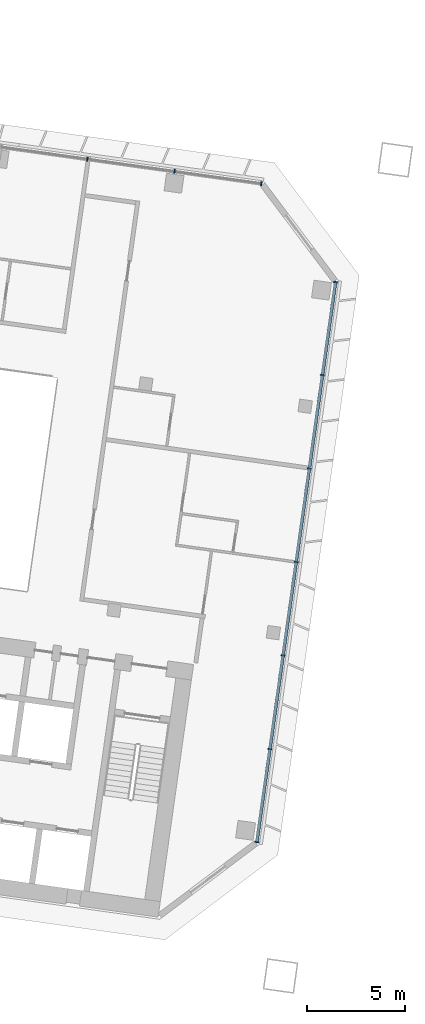
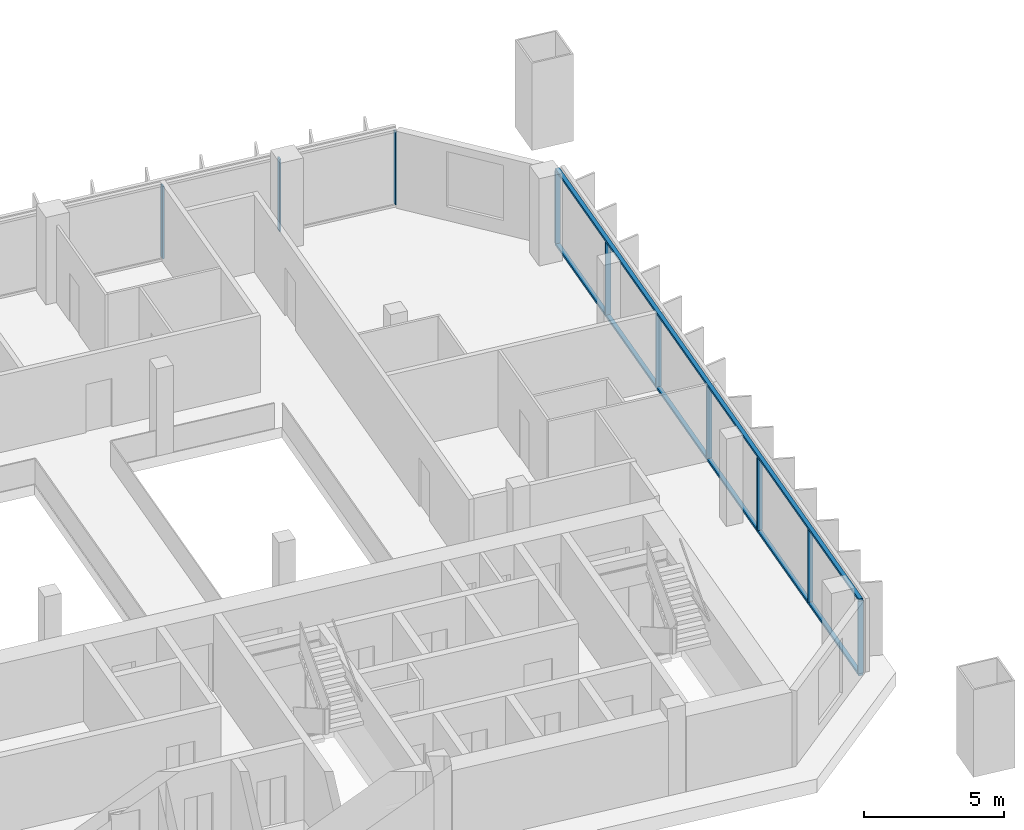
# One storey, part 6 of 24: 12 members, 2 elements without a shape of their own.
"""IFC4 building model written with IfcOpenShell, lengths in metres."""

import ifcopenshell
import ifcopenshell.guid

model = None  # the IFC model being written
_history = None  # IfcOwnerHistory: only IFC2X3 demands one
_inside = {}  # id of a spatial element -> (the spatial element, [elements in it])
_under = {}  # id of a project, library or spatial element -> (it, [spatial elements below it])
_declared = {}  # id of a project -> (the project, [libraries it declares])
_typed = {}  # id of a type object -> (the type object, [elements of that type])
_made_of = {}  # id of a material, layer set ... -> (it, [elements and type objects made of it])


def new_model(schema):
    """Start an empty IFC model of exactly this schema.

    Asked for "IFC4X3", IfcOpenShell would pick the latest addendum, in which some entities
    have other attributes; the version numbers below select the first issue.
    IFC2X3 requires an IfcOwnerHistory on every rooted entity: one is made here for all.
    """
    global model, _history
    if schema == "IFC4X3":
        model = ifcopenshell.file(schema_version=(4, 3, 0, 0))
    else:
        model = ifcopenshell.file(schema=schema)
    _inside.clear()
    _under.clear()
    _declared.clear()
    _typed.clear()
    _made_of.clear()
    _history = None
    if model.schema == "IFC2X3":
        org = make("IfcOrganization", Name="unknown")
        user = make(
            "IfcPersonAndOrganization",
            ThePerson=make("IfcPerson", FamilyName="unknown"),
            TheOrganization=org,
        )
        app = make(
            "IfcApplication",
            ApplicationDeveloper=org,
            Version="unknown",
            ApplicationFullName="unknown",
            ApplicationIdentifier="unknown",
        )
        _history = make(
            "IfcOwnerHistory",
            OwningUser=user,
            OwningApplication=app,
            ChangeAction="ADDED",
            CreationDate=0,
        )
    return model


def make(cls, **values):
    """One entity of the class cls with the attributes given. An attribute that is None is left unset."""
    return model.create_entity(
        cls, **{name: value for name, value in values.items() if value is not None}
    )


def rooted(cls, **values):
    """An entity with a GlobalId (a new one), such as an element, a storey or a relation."""
    return make(cls, GlobalId=ifcopenshell.guid.new(), OwnerHistory=_history, **values)


def si_unit(unit_type, name, prefix=None):
    """IfcSIUnit, for example si_unit("LENGTHUNIT", "METRE", prefix="MILLI")."""
    return make("IfcSIUnit", UnitType=unit_type, Prefix=prefix, Name=name)


def assignment(units):
    """IfcUnitAssignment: the units of a project."""
    return None if units is None else make("IfcUnitAssignment", Units=units)


def point(xyz):
    """IfcCartesianPoint."""
    return None if xyz is None else make("IfcCartesianPoint", Coordinates=xyz)


def direction(xyz):
    """IfcDirection."""
    return None if xyz is None else make("IfcDirection", DirectionRatios=xyz)


def frame(location, z_axis=None, x_axis=None):
    """IfcAxis2Placement3D, a coordinate frame: its origin and axes. An axis left out is left unset."""
    return make(
        "IfcAxis2Placement3D",
        Location=point(location),
        Axis=direction(z_axis),
        RefDirection=direction(x_axis),
    )


def frame_2d(location, x_axis=None):
    """IfcAxis2Placement2D, a coordinate frame in the plane: its origin and x axis."""
    return make(
        "IfcAxis2Placement2D", Location=point(location), RefDirection=direction(x_axis)
    )


def origin():
    """The frame at (0, 0, 0) with its axes left unset."""
    return frame((0.0, 0.0, 0.0))


def origin_2d():
    """The frame at (0, 0) in the plane with its x axis left unset."""
    return frame_2d((0.0, 0.0))


def place(relative_to, where):
    """IfcLocalPlacement: puts the frame where relative to a parent placement (None: the world)."""
    return make(
        "IfcLocalPlacement", PlacementRelTo=relative_to, RelativePlacement=where
    )


def context(
    kind, dimensions, precision=None, world=None, true_north=None, identifier=None
):
    """IfcGeometricRepresentationContext, for example the 3D "Model" context."""
    return make(
        "IfcGeometricRepresentationContext",
        ContextIdentifier=identifier,
        ContextType=kind,
        CoordinateSpaceDimension=dimensions,
        Precision=precision,
        WorldCoordinateSystem=world,
        TrueNorth=true_north,
    )


def subcontext(parent, identifier, kind, view, scale=None):
    """IfcGeometricRepresentationSubContext, for example "Body" below "Model"."""
    return make(
        "IfcGeometricRepresentationSubContext",
        ContextIdentifier=identifier,
        ContextType=kind,
        ParentContext=parent,
        TargetScale=scale,
        TargetView=view,
    )


def project(units=None, contexts=None):
    """IfcProject with its units and contexts."""
    return rooted(
        "IfcProject",
        Name="project",
        RepresentationContexts=contexts,
        UnitsInContext=assignment(units),
    )


def spatial(cls, under=None, at=None, **own):
    """A site, building, storey or space (cls), placed at a placement, below another one or the project."""
    s = rooted(cls, ObjectPlacement=at, **own)
    if under is not None:
        _under.setdefault(under.id(), (under, []))[1].append(s)
    return s


def profile(cls, at=None, kind="AREA", **sizes):
    """A parametric profile (cls). Its sizes go by their IFC names, for example OverallWidth=200.0."""
    return make(cls, ProfileType=kind, Position=at, **sizes)


def rectangle(**sizes):
    """IfcRectangleProfileDef."""
    return profile("IfcRectangleProfileDef", **sizes)


def extrude(swept, where, along, depth):
    """IfcExtrudedAreaSolid: the profile swept, set in the frame where, extruded along a direction by depth."""
    return make(
        "IfcExtrudedAreaSolid",
        SweptArea=swept,
        Position=where,
        ExtrudedDirection=direction(along),
        Depth=depth,
    )


def shape(context_of_items, identifier, shape_type, items):
    """IfcShapeRepresentation: the items that make up one representation, for example the "Body"."""
    return make(
        "IfcShapeRepresentation",
        ContextOfItems=context_of_items,
        RepresentationIdentifier=identifier,
        RepresentationType=shape_type,
        Items=items,
    )


def material(Name=None, Category=None):
    """IfcMaterial."""
    return make("IfcMaterial", Name=Name, Category=Category)


def material_profile(
    of_material, cross_section, Name=None, Category=None, Priority=None
):
    """IfcMaterialProfile: a cross section and its material."""
    return make(
        "IfcMaterialProfile",
        Name=Name,
        Material=of_material,
        Profile=cross_section,
        Priority=Priority,
        Category=Category,
    )


def profile_set(profiles, Name=None, composite=None):
    """IfcMaterialProfileSet."""
    return make(
        "IfcMaterialProfileSet",
        Name=Name,
        MaterialProfiles=profiles,
        CompositeProfile=composite,
    )


def made_of(thing, what):
    """Note that an element or type object is made of a material, layer set ...; save() writes the relation."""
    if what is not None:
        _made_of.setdefault(what.id(), (what, []))[1].append(thing)
    return thing


def type_object(cls, material=None, **own):
    """A type object (cls), such as IfcWallType, which elements share."""
    return made_of(rooted(cls, **own), material)


def element(
    cls,
    number,
    at=None,
    inside=None,
    cuts=None,
    type_object=None,
    material=None,
    context=None,
    identifier="Body",
    shape_type=None,
    held_by="IfcProductDefinitionShape",
    body=None,
    shapes=None,
    **own,
):
    """One element of the class cls, such as IfcWall. Its Tag is "e" and its number.

    at: its placement. inside: the storey or other place that contains it. cuts: it is an
    opening in that element (IfcRelVoidsElement). A single representation is given by context,
    identifier, shape_type and body (its items); several are given by shapes. held_by: the class
    of the entity that holds the representations. save() writes the other relations.
    """
    e = rooted(cls, Tag="e%d" % number, ObjectPlacement=at, **own)
    if body is not None:
        shapes = [shape(context, identifier, shape_type, body)]
    if shapes is not None:
        e.Representation = make(held_by, Representations=shapes)
    if inside is not None:
        _inside.setdefault(inside.id(), (inside, []))[1].append(e)
    if cuts is not None:
        rooted(
            "IfcRelVoidsElement", RelatingBuildingElement=cuts, RelatedOpeningElement=e
        )
    if type_object is not None:
        _typed.setdefault(type_object.id(), (type_object, []))[1].append(e)
    return made_of(e, material)


def aggregate(whole, parts):
    """IfcRelAggregates: a whole, such as a stair, and the parts it consists of."""
    return rooted("IfcRelAggregates", RelatingObject=whole, RelatedObjects=parts)


def save(model, path):
    """Write the relations noted so far, then the file.

    IfcRelAggregates (storeys below a building ...), IfcRelContainedInSpatialStructure (elements
    in a storey), IfcRelDefinesByType, IfcRelAssociatesMaterial and IfcRelDeclares: one each for
    every whole, place, type object, material and project.
    """
    for whole, parts in _under.values():
        aggregate(whole, parts)
    for where, things in _inside.values():
        rooted(
            "IfcRelContainedInSpatialStructure",
            RelatedElements=things,
            RelatingStructure=where,
        )
    for kind, things in _typed.values():
        rooted("IfcRelDefinesByType", RelatedObjects=things, RelatingType=kind)
    for what, things in _made_of.values():
        rooted("IfcRelAssociatesMaterial", RelatedObjects=things, RelatingMaterial=what)
    for by, libraries in _declared.values():
        rooted("IfcRelDeclares", RelatingContext=by, RelatedDefinitions=libraries)
    model.write(path)


model = new_model("IFC4")

# Units and contexts
model_context = context("Model", 3, precision=1e-05, world=origin(), true_north=direction((0.0, 1.0)))
body_context = subcontext(model_context, "Body", "Model", "MODEL_VIEW")
ifc_project = project(units=[si_unit("LENGTHUNIT", "METRE"), si_unit("AREAUNIT", "SQUARE_METRE"), si_unit("VOLUMEUNIT", "CUBIC_METRE"), si_unit("PLANEANGLEUNIT", "RADIAN"), si_unit("MASSUNIT", "GRAM", prefix="KILO")], contexts=[model_context])

# Site, building, storey
site_placement = place(None, origin())
site = spatial("IfcSite", under=ifc_project, at=site_placement, CompositionType="ELEMENT")
building_placement = place(site_placement, origin())
building = spatial("IfcBuilding", under=site, at=building_placement, Name="Mirante Cascada Hotel Towers", CompositionType="ELEMENT")
storey_placement = place(building_placement, frame((0.0, 0.0, 132.9)))
storey = spatial("IfcBuildingStorey", under=building, at=storey_placement, Name="L30", CompositionType="ELEMENT", Elevation=132.9)

# Curtain wall, members
ifc_material_1 = material(Name="Aluminium mullion and transom frame with clear laminated glass", Category="aluminium")
curtain_wall_type_1 = type_object("IfcCurtainWallType", Name="Ribbon curtain wall ECW1", PredefinedType="NOTDEFINED", material=ifc_material_1)
curtain_wall_1_placement = place(storey_placement, origin())
curtain_wall_1 = element("IfcCurtainWall", 1, at=curtain_wall_1_placement, inside=storey, type_object=curtain_wall_type_1, Name="Front ribbon wall T1 L30", PredefinedType="NOTDEFINED")
ifc_material_2 = material(Name="Anodised aluminium extrusion", Category="aluminium")
ifc_material_profile_1 = material_profile(ifc_material_2, rectangle(XDim=0.2, YDim=0.065, at=origin_2d()), Name="ECW1 MULLION 65x200")
ifc_profile_set_1 = profile_set([ifc_material_profile_1], Name="Anodised aluminium extrusion")
member_type_1 = type_object("IfcMemberType", Name="ECW1 mullion 65x200", PredefinedType="MULLION", material=ifc_profile_set_1)
member_1_placement = place(storey_placement, frame((-40.7892, 18.5516, 0.1), z_axis=(0.0, 0.0, 1.0), x_axis=(0.1391731, 0.9902681, 0.0)))
member_1 = element("IfcMember", 2, at=member_1_placement, type_object=member_type_1, Name="ECW1 mullion 13", PredefinedType="MULLION", context=body_context, shape_type="SweptSolid", body=[
    extrude(rectangle(XDim=0.2, YDim=0.065, at=origin_2d()), origin(), (0.0, 0.0, 1.0), 3.15),
])
member_2_placement = place(storey_placement, frame((-36.3417, 17.9265, 0.1), z_axis=(0.0, 0.0, 1.0), x_axis=(0.1391731, 0.9902681, 0.0)))
member_2 = element("IfcMember", 3, at=member_2_placement, type_object=member_type_1, Name="ECW1 mullion 14", PredefinedType="MULLION", context=body_context, shape_type="SweptSolid", body=[
    extrude(rectangle(XDim=0.2, YDim=0.065, at=origin_2d()), origin(), (0.0, 0.0, 1.0), 3.15),
])
member_3_placement = place(storey_placement, frame((-31.9265, 17.306, 0.1), z_axis=(0.0, 0.0, 1.0), x_axis=(0.1391731, 0.9902681, 0.0)))
member_3 = element("IfcMember", 4, at=member_3_placement, type_object=member_type_1, Name="ECW1 mullion 15", PredefinedType="MULLION", context=body_context, shape_type="SweptSolid", body=[
    extrude(rectangle(XDim=0.2, YDim=0.065, at=origin_2d()), origin(), (0.0, 0.0, 1.0), 3.15),
])
aggregate(curtain_wall_1, [member_1, member_2, member_3])

ifc_material_3 = material(Name="Aluminium mullion and transom frame with clear laminated glass", Category="aluminium")
curtain_wall_type_2 = type_object("IfcCurtainWallType", Name="End ribbon curtain wall ECW2", PredefinedType="NOTDEFINED", material=ifc_material_3)
curtain_wall_2_placement = place(storey_placement, origin())
curtain_wall_2 = element("IfcCurtainWall", 5, at=curtain_wall_2_placement, inside=storey, type_object=curtain_wall_type_2, Name="Inner end wall T1 L30", PredefinedType="NOTDEFINED")
ifc_material_4 = material(Name="Anodised aluminium extrusion", Category="aluminium")
ifc_material_profile_2 = material_profile(ifc_material_4, rectangle(XDim=0.2, YDim=0.065, at=origin_2d()), Name="ECW2 MULLION 65x200")
ifc_profile_set_2 = profile_set([ifc_material_profile_2], Name="Anodised aluminium extrusion")
member_type_2 = type_object("IfcMemberType", Name="ECW2 mullion 65x200", PredefinedType="MULLION", material=ifc_profile_set_2)
member_4_placement = place(storey_placement, frame((-28.1437, 12.2861, 0.1), z_axis=(0.0, 0.0, 1.0), x_axis=(0.9902681, -0.1391731, 0.0)))
member_4 = element("IfcMember", 6, at=member_4_placement, type_object=member_type_2, Name="ECW2 mullion 1", PredefinedType="MULLION", context=body_context, shape_type="SweptSolid", body=[
    extrude(rectangle(XDim=0.2, YDim=0.065, at=origin_2d()), origin(), (0.0, 0.0, 1.0), 3.15),
])
member_5_placement = place(storey_placement, frame((-28.809, 7.5524, 0.1), z_axis=(0.0, 0.0, 1.0), x_axis=(0.9902681, -0.1391731, 0.0)))
member_5 = element("IfcMember", 7, at=member_5_placement, type_object=member_type_2, Name="ECW2 mullion 2", PredefinedType="MULLION", context=body_context, shape_type="SweptSolid", body=[
    extrude(rectangle(XDim=0.2, YDim=0.065, at=origin_2d()), origin(), (0.0, 0.0, 1.0), 3.15),
])
member_6_placement = place(storey_placement, frame((-29.4788, 2.7867, 0.1), z_axis=(0.0, 0.0, 1.0), x_axis=(0.9902681, -0.1391731, 0.0)))
member_6 = element("IfcMember", 8, at=member_6_placement, type_object=member_type_2, Name="ECW2 mullion 3", PredefinedType="MULLION", context=body_context, shape_type="SweptSolid", body=[
    extrude(rectangle(XDim=0.2, YDim=0.065, at=origin_2d()), origin(), (0.0, 0.0, 1.0), 3.15),
])
member_7_placement = place(storey_placement, frame((-30.1485, -1.9791, 0.1), z_axis=(0.0, 0.0, 1.0), x_axis=(0.9902681, -0.1391731, 0.0)))
member_7 = element("IfcMember", 9, at=member_7_placement, type_object=member_type_2, Name="ECW2 mullion 4", PredefinedType="MULLION", context=body_context, shape_type="SweptSolid", body=[
    extrude(rectangle(XDim=0.2, YDim=0.065, at=origin_2d()), origin(), (0.0, 0.0, 1.0), 3.15),
])
member_8_placement = place(storey_placement, frame((-30.8183, -6.7449, 0.1), z_axis=(0.0, 0.0, 1.0), x_axis=(0.9902681, -0.1391731, 0.0)))
member_8 = element("IfcMember", 10, at=member_8_placement, type_object=member_type_2, Name="ECW2 mullion 5", PredefinedType="MULLION", context=body_context, shape_type="SweptSolid", body=[
    extrude(rectangle(XDim=0.2, YDim=0.065, at=origin_2d()), origin(), (0.0, 0.0, 1.0), 3.15),
])
member_9_placement = place(storey_placement, frame((-31.4881, -11.5107, 0.1), z_axis=(0.0, 0.0, 1.0), x_axis=(0.9902681, -0.1391731, 0.0)))
member_9 = element("IfcMember", 11, at=member_9_placement, type_object=member_type_2, Name="ECW2 mullion 6", PredefinedType="MULLION", context=body_context, shape_type="SweptSolid", body=[
    extrude(rectangle(XDim=0.2, YDim=0.065, at=origin_2d()), origin(), (0.0, 0.0, 1.0), 3.15),
])
member_10_placement = place(storey_placement, frame((-32.1534, -16.2443, 0.1), z_axis=(0.0, 0.0, 1.0), x_axis=(0.9902681, -0.1391731, 0.0)))
member_10 = element("IfcMember", 12, at=member_10_placement, type_object=member_type_2, Name="ECW2 mullion 7", PredefinedType="MULLION", context=body_context, shape_type="SweptSolid", body=[
    extrude(rectangle(XDim=0.2, YDim=0.065, at=origin_2d()), origin(), (0.0, 0.0, 1.0), 3.15),
])
ifc_material_5 = material(Name="Anodised aluminium extrusion", Category="aluminium")
ifc_material_profile_3 = material_profile(ifc_material_5, rectangle(XDim=0.16, YDim=0.1, at=origin_2d()), Name="ECW2 TRANSOM 100x160")
ifc_profile_set_3 = profile_set([ifc_material_profile_3], Name="Anodised aluminium extrusion")
member_type_3 = type_object("IfcMemberType", Name="ECW2 transom 100x160", PredefinedType="USERDEFINED", material=ifc_profile_set_3)
member_11_placement = place(storey_placement, frame((-28.1392, 12.3182, 0.05), z_axis=(-0.1391723, -0.9902682, 0.0), x_axis=(0.9902682, -0.1391723, 0.0)))
member_11 = element("IfcMember", 13, at=member_11_placement, type_object=member_type_3, Name="ECW2 sill transom", ObjectType="TRANSOM", PredefinedType="USERDEFINED", context=body_context, shape_type="SweptSolid", body=[
    extrude(rectangle(XDim=0.16, YDim=0.1, at=origin_2d()), origin(), (0.0, 0.0, 1.0), 28.8757),
])
member_12_placement = place(storey_placement, frame((-28.1392, 12.3182, 3.3), z_axis=(-0.1391723, -0.9902682, 0.0), x_axis=(0.9902682, -0.1391723, 0.0)))
member_12 = element("IfcMember", 14, at=member_12_placement, type_object=member_type_3, Name="ECW2 head transom", ObjectType="TRANSOM", PredefinedType="USERDEFINED", context=body_context, shape_type="SweptSolid", body=[
    extrude(rectangle(XDim=0.16, YDim=0.1, at=origin_2d()), origin(), (0.0, 0.0, 1.0), 28.8757),
])
aggregate(curtain_wall_2, [member_11, member_12, member_4, member_5, member_6, member_7, member_8, member_9, member_10])

save(model, "model.ifc")
